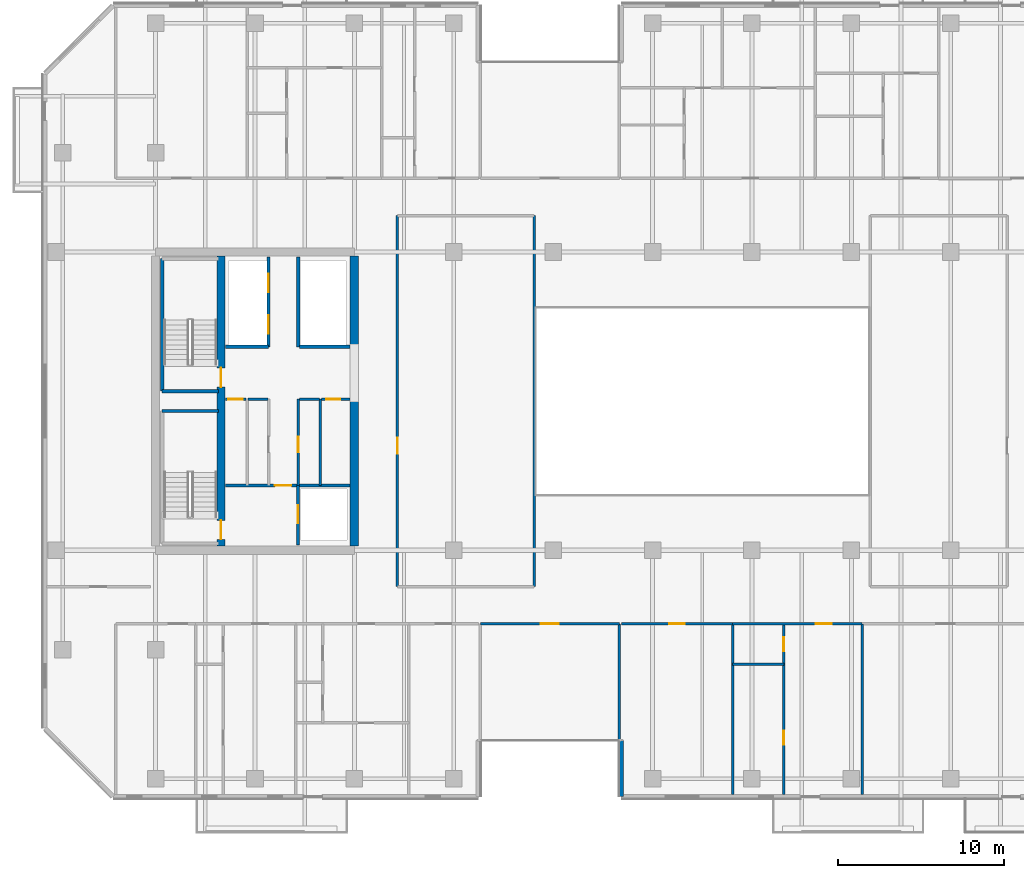
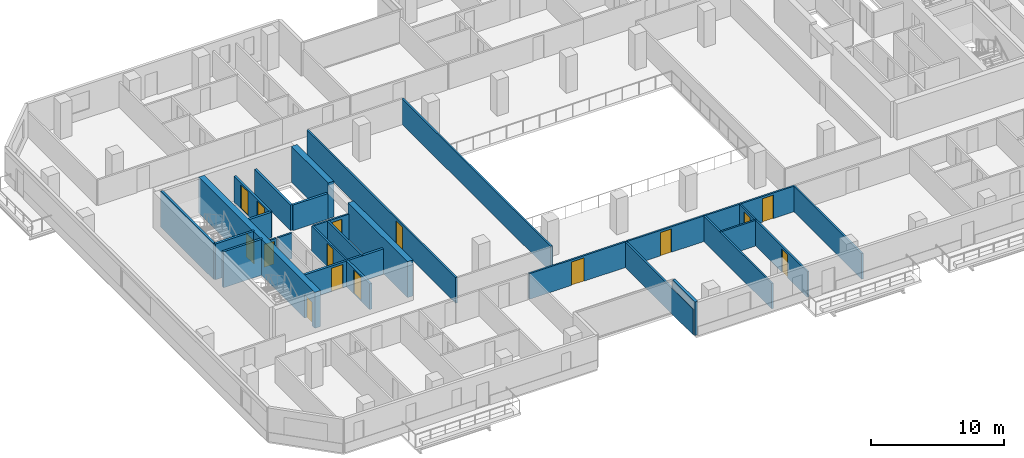
# One storey, part 11 of 23: 29 walls, 15 doors, 15 openings.
"""IFC4 building model written with IfcOpenShell, lengths in metres."""

from ifc_helpers import new_model, si_unit, direction, frame, frame_2d, origin, place, context, subcontext, project, spatial, rectangle, extrude, material, layer, layer_set, type_object, element, fill, save


model = new_model("IFC4")

# Units and contexts
model_context = context("Model", 3, precision=1e-05, world=origin(), true_north=direction((0.0, 1.0)))
body_context = subcontext(model_context, "Body", "Model", "MODEL_VIEW")
ifc_project = project(units=[si_unit("LENGTHUNIT", "METRE"), si_unit("AREAUNIT", "SQUARE_METRE"), si_unit("VOLUMEUNIT", "CUBIC_METRE"), si_unit("PLANEANGLEUNIT", "RADIAN"), si_unit("MASSUNIT", "GRAM", prefix="KILO")], contexts=[model_context])

# Site, building, storey
site_placement = place(None, origin())
site = spatial("IfcSite", under=ifc_project, at=site_placement, CompositionType="ELEMENT")
building_placement = place(site_placement, origin())
building = spatial("IfcBuilding", under=site, at=building_placement, Name="Tanjung Sevakor Pilgrim Tower", CompositionType="ELEMENT")
storey_placement = place(building_placement, frame((0.0, 0.0, 88.77001953125)))
storey = spatial("IfcBuildingStorey", under=building, at=storey_placement, Name="L24", CompositionType="ELEMENT", Elevation=88.77001953125)

# Walls
ifc_material_1 = material(Name="Concrete C60/75", Category="concrete")
ifc_layer_1 = layer(ifc_material_1, 0.5)
ifc_layer_set_1 = layer_set([ifc_layer_1], Name="WALL-CW-500")
wall_type_1 = type_object("IfcWallType", Name="WALL-CW-500", PredefinedType="SHEAR", material=ifc_layer_set_1)
wall_1_placement = place(storey_placement, frame((36.0, 24.85009765625, 0.0), z_axis=(0.0, 0.0, 1.0), x_axis=(0.0, 1.0, 0.0)))
element("IfcWall", 1, at=wall_1_placement, inside=storey, type_object=wall_type_1, Name="L24 W Core Inner Shear Wall South", PredefinedType="SHEAR", context=body_context, shape_type="SweptSolid", body=[
    extrude(rectangle(XDim=8.949951171875, YDim=0.5, at=frame_2d((4.47509765625, 0.0))), origin(), (0.0, 0.0, 1.0), 3.300048828125),
])
wall_2_placement = place(storey_placement, frame((36.0, 36.800048828125, 0.0), z_axis=(0.0, 0.0, 1.0), x_axis=(0.0, 1.0, 0.0)))
element("IfcWall", 2, at=wall_2_placement, inside=storey, type_object=wall_type_1, Name="L24 W Core Inner Shear Wall North", PredefinedType="SHEAR", context=body_context, shape_type="SweptSolid", body=[
    extrude(rectangle(XDim=5.550048828125, YDim=0.5, at=frame_2d((2.77490234375, 0.0))), origin(), (0.0, 0.0, 1.0), 3.300048828125),
])

# Wall, openings, doors
wall_3_placement = place(storey_placement, frame((27.949951171875, 24.85009765625, 0.0), z_axis=(0.0, 0.0, 1.0), x_axis=(0.0, 1.0, 0.0)))
wall_3 = element("IfcWall", 3, at=wall_3_placement, inside=storey, type_object=wall_type_1, Name="L24 W Core Stair Spine Wall", PredefinedType="SHEAR", context=body_context, shape_type="SweptSolid", body=[
    extrude(rectangle(XDim=17.5, YDim=0.5, at=frame_2d((8.75, 0.0))), origin(), (0.0, 0.0, 1.0), 3.300048828125),
])
opening_1_placement = place(wall_3_placement, frame((0.39990234375, 0.0, 0.0)))
opening_1 = element("IfcOpeningElement", 4, at=opening_1_placement, cuts=wall_3, Name="Opening ID-ST1", PredefinedType="OPENING", context=body_context, shape_type="SweptSolid", body=[
    extrude(rectangle(XDim=1.14990234375, YDim=2.14990234375, at=frame_2d((0.574951171875, 1.074951171875))), frame((0.0, 0.260009765625, 0.0), z_axis=(0.0, -1.0, 0.0), x_axis=(1.0, 0.0, 0.0)), (0.0, 0.0, 1.0), 0.52001953125),
])
opening_2_placement = place(wall_3_placement, frame((9.60009765625, 0.0, 0.0)))
opening_2 = element("IfcOpeningElement", 5, at=opening_2_placement, cuts=wall_3, Name="Opening ID-ST1", PredefinedType="OPENING", context=body_context, shape_type="SweptSolid", body=[
    extrude(rectangle(XDim=1.14990234375, YDim=2.14990234375, at=frame_2d((0.574951171875, 1.074951171875))), frame((0.0, 0.260009765625, 0.0), z_axis=(0.0, -1.0, 0.0), x_axis=(1.0, 0.0, 0.0)), (0.0, 0.0, 1.0), 0.52001953125),
])
ifc_material_2 = material(Name="Fire-Rated Steel S355J2", Category="steel")
door_type_1 = type_object("IfcDoorType", Name="DT-FIRE-1150", OperationType="NOTDEFINED", PredefinedType="DOOR", material=ifc_material_2)
door_1_placement = place(opening_1_placement, origin())
door_1 = element("IfcDoor", 6, at=door_1_placement, inside=storey, type_object=door_type_1, Name="L24 TS-W1 Stair Fire Door", OperationType="SINGLE_SWING_LEFT", OverallHeight=2.14990234375, OverallWidth=1.14990234375, PredefinedType="DOOR", context=body_context, shape_type="SweptSolid", body=[
    extrude(rectangle(XDim=1.14990234375, YDim=2.14990234375, at=frame_2d((0.574951171875, 1.074951171875))), frame((0.0, 0.02490234375, 0.0), z_axis=(0.0, -1.0, 0.0), x_axis=(1.0, 0.0, 0.0)), (0.0, 0.0, 1.0), 0.050048828125),
])
fill(opening_1, door_1)
door_2_placement = place(opening_2_placement, origin())
door_2 = element("IfcDoor", 7, at=door_2_placement, inside=storey, type_object=door_type_1, Name="L24 TS-W2 Stair Fire Door", OperationType="SINGLE_SWING_RIGHT", OverallHeight=2.14990234375, OverallWidth=1.14990234375, PredefinedType="DOOR", context=body_context, shape_type="SweptSolid", body=[
    extrude(rectangle(XDim=1.14990234375, YDim=2.14990234375, at=frame_2d((0.574951171875, 1.074951171875))), frame((0.0, 0.02490234375, 0.0), z_axis=(0.0, -1.0, 0.0), x_axis=(1.0, 0.0, 0.0)), (0.0, 0.0, 1.0), 0.050048828125),
])
fill(opening_2, door_2)

# Wall, opening, door
ifc_material_3 = material(Name="Concrete C40/50", Category="concrete")
ifc_layer_2 = layer(ifc_material_3, 0.14990234375)
ifc_layer_set_2 = layer_set([ifc_layer_2], Name="WT-COMP-150")
wall_type_2 = type_object("IfcWallType", Name="WT-COMP-150", PredefinedType="SOLIDWALL", material=ifc_layer_set_2)
wall_4_placement = place(storey_placement, frame((28.219970703125, 33.719970703125, 0.0), z_axis=(0.0, 0.0, 1.0), x_axis=(1.0, 0.0, 0.0)))
wall_4 = element("IfcWall", 8, at=wall_4_placement, inside=storey, type_object=wall_type_2, Name="L24 Partition IW-L24-004", PredefinedType="SOLIDWALL", context=body_context, shape_type="SweptSolid", body=[
    extrude(rectangle(XDim=1.22998046875, YDim=0.14990234375, at=frame_2d((0.614990234375, 0.0))), origin(), (0.0, 0.0, 1.0), 2.35009765625),
])
opening_3_placement = place(wall_4_placement, frame((0.179931640625, 0.0, 0.0)))
opening_3 = element("IfcOpeningElement", 9, at=opening_3_placement, cuts=wall_4, Name="Opening ID-FD3", PredefinedType="OPENING", context=body_context, shape_type="SweptSolid", body=[
    extrude(rectangle(XDim=0.85009765625, YDim=2.10009765625, at=frame_2d((0.425048828125, 1.050048828125))), frame((0.0, 0.0849609375, 0.0), z_axis=(0.0, -1.0, 0.0), x_axis=(1.0, 0.0, 0.0)), (0.0, 0.0, 1.0), 0.169921875),
])
ifc_material_4 = material(Name="Fire-Rated Timber", Category="wood")
door_type_2 = type_object("IfcDoorType", Name="DT-FIRE-850", OperationType="NOTDEFINED", PredefinedType="DOOR", material=ifc_material_4)
door_3_placement = place(opening_3_placement, origin())
door_3 = element("IfcDoor", 10, at=door_3_placement, inside=storey, type_object=door_type_2, Name="L24 Cleaner Store Door", OperationType="SINGLE_SWING_LEFT", OverallHeight=2.10009765625, OverallWidth=0.85009765625, PredefinedType="DOOR", context=body_context, shape_type="SweptSolid", body=[
    extrude(rectangle(XDim=0.85009765625, YDim=2.10009765625, at=frame_2d((0.425048828125, 1.050048828125))), frame((0.0, 0.02490234375, 0.0), z_axis=(0.0, -1.0, 0.0), x_axis=(1.0, 0.0, 0.0)), (0.0, 0.0, 1.0), 0.050048828125),
])
fill(opening_3, door_3)

# Walls
wall_5_placement = place(storey_placement, frame((29.580078125, 33.719970703125, 0.0), z_axis=(0.0, 0.0, 1.0), x_axis=(1.0, 0.0, 0.0)))
element("IfcWall", 11, at=wall_5_placement, inside=storey, type_object=wall_type_2, Name="L24 Partition IW-L24-005", PredefinedType="SOLIDWALL", context=body_context, shape_type="SweptSolid", body=[
    extrude(rectangle(XDim=1.219970703125, YDim=0.14990234375, at=frame_2d((0.60986328125, 0.0))), origin(), (0.0, 0.0, 1.0), 2.35009765625),
])
wall_6_placement = place(storey_placement, frame((33.949951171875, 28.5, 0.0), z_axis=(0.0, 0.0, 1.0), x_axis=(0.0, 1.0, 0.0)))
element("IfcWall", 12, at=wall_6_placement, inside=storey, type_object=wall_type_2, Name="L24 Partition IW-L24-007", PredefinedType="SOLIDWALL", context=body_context, shape_type="SweptSolid", body=[
    extrude(rectangle(XDim=5.219970703125, YDim=0.14990234375, at=frame_2d((2.60986328125, 0.0))), origin(), (0.0, 0.0, 1.0), 2.35009765625),
])
wall_7_placement = place(storey_placement, frame((32.679931640625, 33.719970703125, 0.0), z_axis=(0.0, 0.0, 1.0), x_axis=(1.0, 0.0, 0.0)))
element("IfcWall", 13, at=wall_7_placement, inside=storey, type_object=wall_type_2, Name="L24 Partition IW-L24-008", PredefinedType="SOLIDWALL", context=body_context, shape_type="SweptSolid", body=[
    extrude(rectangle(XDim=1.2099609375, YDim=0.14990234375, at=frame_2d((0.60498046875, 0.0))), origin(), (0.0, 0.0, 1.0), 2.35009765625),
])

# Wall, opening, door
wall_8_placement = place(storey_placement, frame((34.010009765625, 33.719970703125, 0.0), z_axis=(0.0, 0.0, 1.0), x_axis=(1.0, 0.0, 0.0)))
wall_8 = element("IfcWall", 14, at=wall_8_placement, inside=storey, type_object=wall_type_2, Name="L24 Partition IW-L24-009", PredefinedType="SOLIDWALL", context=body_context, shape_type="SweptSolid", body=[
    extrude(rectangle(XDim=1.719970703125, YDim=0.14990234375, at=frame_2d((0.85986328125, 0.0))), origin(), (0.0, 0.0, 1.0), 2.35009765625),
])
opening_4_placement = place(wall_8_placement, frame((0.280029296875, 0.0, 0.0)))
opening_4 = element("IfcOpeningElement", 15, at=opening_4_placement, cuts=wall_8, Name="Opening ID-FD3", PredefinedType="OPENING", context=body_context, shape_type="SweptSolid", body=[
    extrude(rectangle(XDim=0.85009765625, YDim=2.10009765625, at=frame_2d((0.425048828125, 1.050048828125))), frame((0.0, 0.0849609375, 0.0), z_axis=(0.0, -1.0, 0.0), x_axis=(1.0, 0.0, 0.0)), (0.0, 0.0, 1.0), 0.169921875),
])
door_4_placement = place(opening_4_placement, origin())
door_4 = element("IfcDoor", 16, at=door_4_placement, inside=storey, type_object=door_type_2, Name="L24 Service Store Door", OperationType="SINGLE_SWING_LEFT", OverallHeight=2.10009765625, OverallWidth=0.85009765625, PredefinedType="DOOR", context=body_context, shape_type="SweptSolid", body=[
    extrude(rectangle(XDim=0.85009765625, YDim=2.10009765625, at=frame_2d((0.425048828125, 1.050048828125))), frame((0.0, 0.02490234375, 0.0), z_axis=(0.0, -1.0, 0.0), x_axis=(1.0, 0.0, 0.0)), (0.0, 0.0, 1.0), 0.050048828125),
])
fill(opening_4, door_4)

wall_9_placement = place(storey_placement, frame((32.6201171875, 28.5, 0.0), z_axis=(0.0, 0.0, 1.0), x_axis=(0.0, 1.0, 0.0)))
wall_9 = element("IfcWall", 17, at=wall_9_placement, inside=storey, type_object=wall_type_2, Name="L24 Partition IW-L24-010", PredefinedType="SOLIDWALL", context=body_context, shape_type="SweptSolid", body=[
    extrude(rectangle(XDim=5.219970703125, YDim=0.14990234375, at=frame_2d((2.60986328125, 0.0))), origin(), (0.0, 0.0, 1.0), 2.35009765625),
])
opening_5_placement = place(wall_9_placement, frame((2.0, 0.0, 0.0)))
opening_5 = element("IfcOpeningElement", 18, at=opening_5_placement, cuts=wall_9, Name="Opening ID-FD2", PredefinedType="OPENING", context=body_context, shape_type="SweptSolid", body=[
    extrude(rectangle(XDim=0.949951171875, YDim=2.14990234375, at=frame_2d((0.47509765625, 1.074951171875))), frame((0.0, 0.0849609375, 0.0), z_axis=(0.0, -1.0, 0.0), x_axis=(1.0, 0.0, 0.0)), (0.0, 0.0, 1.0), 0.169921875),
])
ifc_material_5 = material(Name="Fire-Rated Timber", Category="wood")
door_type_3 = type_object("IfcDoorType", Name="DT-FIRE-950", OperationType="NOTDEFINED", PredefinedType="DOOR", material=ifc_material_5)
door_5_placement = place(opening_5_placement, origin())
door_5 = element("IfcDoor", 19, at=door_5_placement, inside=storey, type_object=door_type_3, Name="L24 Accessible WC Door", OperationType="SINGLE_SWING_RIGHT", OverallHeight=2.14990234375, OverallWidth=0.949951171875, PredefinedType="DOOR", context=body_context, shape_type="SweptSolid", body=[
    extrude(rectangle(XDim=0.949951171875, YDim=2.14990234375, at=frame_2d((0.47509765625, 1.074951171875))), frame((0.0, 0.02490234375, 0.0), z_axis=(0.0, -1.0, 0.0), x_axis=(1.0, 0.0, 0.0)), (0.0, 0.0, 1.0), 0.050048828125),
])
fill(opening_5, door_5)

wall_10_placement = place(storey_placement, frame((38.60009765625, 22.39990234375, 0.0), z_axis=(0.0, 0.0, 1.0), x_axis=(0.0, 1.0, 0.0)))
wall_10 = element("IfcWall", 20, at=wall_10_placement, inside=storey, type_object=wall_type_2, Name="L24 Partition IW-L24-031", PredefinedType="SOLIDWALL", context=body_context, shape_type="SweptSolid", body=[
    extrude(rectangle(XDim=22.400146484375, YDim=0.14990234375, at=frame_2d((11.2001953125, 0.0))), origin(), (0.0, 0.0, 1.0), 2.35009765625),
])
opening_6_placement = place(wall_10_placement, frame((8.02490234375, 0.0, 0.0)))
opening_6 = element("IfcOpeningElement", 21, at=opening_6_placement, cuts=wall_10, Name="Opening ID-RM1", PredefinedType="OPENING", context=body_context, shape_type="SweptSolid", body=[
    extrude(rectangle(XDim=0.949951171875, YDim=2.14990234375, at=frame_2d((0.47509765625, 1.074951171875))), frame((0.0, 0.0849609375, 0.0), z_axis=(0.0, -1.0, 0.0), x_axis=(1.0, 0.0, 0.0)), (0.0, 0.0, 1.0), 0.169921875),
])
ifc_material_6 = material(Name="Hardwood Timber", Category="wood")
door_type_4 = type_object("IfcDoorType", Name="DT-INT-950", OperationType="NOTDEFINED", PredefinedType="DOOR", material=ifc_material_6)
door_6_placement = place(opening_6_placement, origin())
door_6 = element("IfcDoor", 22, at=door_6_placement, inside=storey, type_object=door_type_4, Name="L24 Central West Room Door", OperationType="SINGLE_SWING_LEFT", OverallHeight=2.14990234375, OverallWidth=0.949951171875, PredefinedType="DOOR", context=body_context, shape_type="SweptSolid", body=[
    extrude(rectangle(XDim=0.949951171875, YDim=2.14990234375, at=frame_2d((0.47509765625, 1.074951171875))), frame((0.0, 0.02490234375, 0.0), z_axis=(0.0, -1.0, 0.0), x_axis=(1.0, 0.0, 0.0)), (0.0, 0.0, 1.0), 0.050048828125),
])
fill(opening_6, door_6)

# Wall
wall_11_placement = place(storey_placement, frame((46.85009765625, 22.39990234375, 0.0), z_axis=(0.0, 0.0, 1.0), x_axis=(0.0, 1.0, 0.0)))
element("IfcWall", 23, at=wall_11_placement, inside=storey, type_object=wall_type_2, Name="L24 Partition IW-L24-032", PredefinedType="SOLIDWALL", context=body_context, shape_type="SweptSolid", body=[
    extrude(rectangle(XDim=22.400146484375, YDim=0.14990234375, at=frame_2d((11.2001953125, 0.0))), origin(), (0.0, 0.0, 1.0), 2.35009765625),
])

# Wall, opening, door
wall_12_placement = place(storey_placement, frame((43.60009765625, 20.14990234375, 0.0), z_axis=(0.0, 0.0, 1.0), x_axis=(1.0, 0.0, 0.0)))
wall_12 = element("IfcWall", 24, at=wall_12_placement, inside=storey, type_object=wall_type_2, Name="L24 Partition IW-L24-045", PredefinedType="SOLIDWALL", context=body_context, shape_type="SweptSolid", body=[
    extrude(rectangle(XDim=8.39990234375, YDim=0.14990234375, at=frame_2d((4.199951171875, 0.0))), origin(), (0.0, 0.0, 1.0), 2.35009765625),
])
opening_7_placement = place(wall_12_placement, frame((3.64990234375, 0.0, 0.0)))
opening_7 = element("IfcOpeningElement", 25, at=opening_7_placement, cuts=wall_12, Name="Opening ID-RM2", PredefinedType="OPENING", context=body_context, shape_type="SweptSolid", body=[
    extrude(rectangle(XDim=1.10009765625, YDim=2.14990234375, at=frame_2d((0.550048828125, 1.074951171875))), frame((0.0, 0.0849609375, 0.0), z_axis=(0.0, -1.0, 0.0), x_axis=(1.0, 0.0, 0.0)), (0.0, 0.0, 1.0), 0.169921875),
])
ifc_material_7 = material(Name="Hardwood Timber", Category="wood")
door_type_5 = type_object("IfcDoorType", Name="DT-INT-1100", OperationType="NOTDEFINED", PredefinedType="DOOR", material=ifc_material_7)
door_7_placement = place(opening_7_placement, origin())
door_7 = element("IfcDoor", 26, at=door_7_placement, inside=storey, type_object=door_type_5, Name="L24 South Cleft Communal Lounge Door", OperationType="SINGLE_SWING_LEFT", OverallHeight=2.14990234375, OverallWidth=1.10009765625, PredefinedType="DOOR", context=body_context, shape_type="SweptSolid", body=[
    extrude(rectangle(XDim=1.10009765625, YDim=2.14990234375, at=frame_2d((0.550048828125, 1.074951171875))), frame((0.0, 0.02490234375, 0.0), z_axis=(0.0, -1.0, 0.0), x_axis=(1.0, 0.0, 0.0)), (0.0, 0.0, 1.0), 0.050048828125),
])
fill(opening_7, door_7)

# Walls
for number, where, z_axis, x_axis, name in (
    (27, (52.0, 9.85009765625, 0.0), (0.0, 0.0, 1.0), (0.0, 1.0, 0.0), "L24 Partition IW-L24-047"),
    (28, (58.827880859375, 9.85009765625, 0.0), (0.0, 0.0, 1.0), (0.0, 1.0, 0.0), "L24 Partition IW-L24-065"),
):
    element("IfcWall", number, at=place(storey_placement, frame(where, z_axis=z_axis, x_axis=x_axis)), inside=storey, type_object=wall_type_2, Name=name, PredefinedType="SOLIDWALL", context=body_context, shape_type="SweptSolid", body=[
        extrude(rectangle(XDim=10.2998046875, YDim=0.14990234375, at=frame_2d((5.14990234375, 0.0))), origin(), (0.0, 0.0, 1.0), 2.35009765625),
    ])

# Wall, opening, door
wall_13_placement = place(storey_placement, frame((52.1201171875, 20.14990234375, 0.0), z_axis=(0.0, 0.0, 1.0), x_axis=(1.0, 0.0, 0.0)))
wall_13 = element("IfcWall", 29, at=wall_13_placement, inside=storey, type_object=wall_type_2, Name="L24 Partition IW-L24-066", PredefinedType="SOLIDWALL", context=body_context, shape_type="SweptSolid", body=[
    extrude(rectangle(XDim=6.707763671875, YDim=0.14990234375, at=frame_2d((3.35400390625, 0.0))), origin(), (0.0, 0.0, 1.0), 2.35009765625),
])
opening_8_placement = place(wall_13_placement, frame((2.87890625, 0.0, 0.0)))
opening_8 = element("IfcOpeningElement", 30, at=opening_8_placement, cuts=wall_13, Name="Opening ID-FD2", PredefinedType="OPENING", context=body_context, shape_type="SweptSolid", body=[
    extrude(rectangle(XDim=0.949951171875, YDim=2.14990234375, at=frame_2d((0.47509765625, 1.074951171875))), frame((0.0, 0.0849609375, 0.0), z_axis=(0.0, -1.0, 0.0), x_axis=(1.0, 0.0, 0.0)), (0.0, 0.0, 1.0), 0.169921875),
])
door_8_placement = place(opening_8_placement, origin())
door_8 = element("IfcDoor", 31, at=door_8_placement, inside=storey, type_object=door_type_3, Name="Housekeeping Pantry Door", OperationType="SINGLE_SWING_RIGHT", OverallHeight=2.14990234375, OverallWidth=0.949951171875, PredefinedType="DOOR", context=body_context, shape_type="SweptSolid", body=[
    extrude(rectangle(XDim=0.949951171875, YDim=2.14990234375, at=frame_2d((0.47509765625, 1.074951171875))), frame((0.0, 0.02490234375, 0.0), z_axis=(0.0, -1.0, 0.0), x_axis=(1.0, 0.0, 0.0)), (0.0, 0.0, 1.0), 0.050048828125),
])
fill(opening_8, door_8)

# Wall
wall_14_placement = place(storey_placement, frame((66.653564453125, 9.85009765625, 0.0), z_axis=(0.0, 0.0, 1.0), x_axis=(0.0, 1.0, 0.0)))
element("IfcWall", 32, at=wall_14_placement, inside=storey, type_object=wall_type_2, Name="L24 Partition IW-L24-067", PredefinedType="SOLIDWALL", context=body_context, shape_type="SweptSolid", body=[
    extrude(rectangle(XDim=10.2998046875, YDim=0.14990234375, at=frame_2d((5.14990234375, 0.0))), origin(), (0.0, 0.0, 1.0), 2.35009765625),
])

# Wall, opening, door
wall_15_placement = place(storey_placement, frame((58.827880859375, 20.14990234375, 0.0), z_axis=(0.0, 0.0, 1.0), x_axis=(1.0, 0.0, 0.0)))
wall_15 = element("IfcWall", 33, at=wall_15_placement, inside=storey, type_object=wall_type_2, Name="L24 Partition IW-L24-070", PredefinedType="SOLIDWALL", context=body_context, shape_type="SweptSolid", body=[
    extrude(rectangle(XDim=7.82568359375, YDim=0.14990234375, at=frame_2d((3.912841796875, 0.0))), origin(), (0.0, 0.0, 1.0), 2.35009765625),
])
opening_9_placement = place(wall_15_placement, frame((5.02392578125, 0.0, 0.0)))
opening_9 = element("IfcOpeningElement", 34, at=opening_9_placement, cuts=wall_15, Name="Opening ID-FD2", PredefinedType="OPENING", context=body_context, shape_type="SweptSolid", body=[
    extrude(rectangle(XDim=0.949951171875, YDim=2.14990234375, at=frame_2d((0.47509765625, 1.074951171875))), frame((0.0, 0.0849609375, 0.0), z_axis=(0.0, -1.0, 0.0), x_axis=(1.0, 0.0, 0.0)), (0.0, 0.0, 1.0), 0.169921875),
])
door_9_placement = place(opening_9_placement, origin())
door_9 = element("IfcDoor", 35, at=door_9_placement, inside=storey, type_object=door_type_3, Name="Hostel Quad Entrance", OperationType="SINGLE_SWING_LEFT", OverallHeight=2.14990234375, OverallWidth=0.949951171875, PredefinedType="DOOR", context=body_context, shape_type="SweptSolid", body=[
    extrude(rectangle(XDim=0.949951171875, YDim=2.14990234375, at=frame_2d((0.47509765625, 1.074951171875))), frame((0.0, 0.02490234375, 0.0), z_axis=(0.0, -1.0, 0.0), x_axis=(1.0, 0.0, 0.0)), (0.0, 0.0, 1.0), 0.050048828125),
])
fill(opening_9, door_9)

# Walls
ifc_material_8 = material(Name="Precast concrete C45/55", Category="concrete")
ifc_layer_3 = layer(ifc_material_8, 0.25)
ifc_layer_set_3 = layer_set([ifc_layer_3], Name="WT-EW-STN3")
wall_type_3 = type_object("IfcWallType", Name="WT-EW-STN3", PredefinedType="SOLIDWALL", material=ifc_layer_set_3)
wall_16_placement = place(storey_placement, frame((52.125, 13.125, 0.0), z_axis=(0.0, 0.0, 1.0), x_axis=(0.0, -1.0, 0.0)))
element("IfcWall", 36, at=wall_16_placement, inside=storey, type_object=wall_type_3, Name="L24 MAIN Exterior Wall 4", PredefinedType="SOLIDWALL", context=body_context, shape_type="SweptSolid", body=[
    extrude(rectangle(XDim=3.39990234375, YDim=0.25, at=frame_2d((1.699951171875, 0.0))), origin(), (0.0, 0.0, 1.0), 3.080078125),
])
ifc_material_9 = material(Name="Concrete C40/50", Category="concrete")
ifc_layer_4 = layer(ifc_material_9, 0.199951171875)
ifc_layer_set_4 = layer_set([ifc_layer_4], Name="WT-FIRE-200")
wall_type_4 = type_object("IfcWallType", Name="WT-FIRE-200", PredefinedType="SOLIDWALL", material=ifc_layer_set_4)
for number, where, z_axis, x_axis, name in (
    (37, (27.800048828125, 33.0, 0.0), (0.0, 0.0, 1.0), (-1.0, 0.0, 0.0), "L24 TS-W1 Shaft Wall 2"),
    (38, (24.39990234375, 34.199951171875, 0.0), (0.0, 0.0, 1.0), (1.0, 0.0, 0.0), "L24 TS-W2 Shaft Wall 1"),
):
    element("IfcWall", number, at=place(storey_placement, frame(where, z_axis=z_axis, x_axis=x_axis)), inside=storey, type_object=wall_type_4, Name=name, PredefinedType="SOLIDWALL", context=body_context, shape_type="SweptSolid", body=[
        extrude(rectangle(XDim=3.400146484375, YDim=0.199951171875, at=frame_2d((1.7001953125, 0.0))), origin(), (0.0, 0.0, 1.0), 3.300048828125),
    ])
wall_17_placement = place(storey_placement, frame((24.39990234375, 42.199951171875, 0.0), z_axis=(0.0, 0.0, 1.0), x_axis=(0.0, -1.0, 0.0)))
element("IfcWall", 39, at=wall_17_placement, inside=storey, type_object=wall_type_4, Name="L24 TS-W2 Shaft Wall 3", PredefinedType="SOLIDWALL", context=body_context, shape_type="SweptSolid", body=[
    extrude(rectangle(XDim=8.0, YDim=0.199951171875, at=frame_2d((4.0, 0.0))), origin(), (0.0, 0.0, 1.0), 3.300048828125),
])

# Wall, opening, door
ifc_material_10 = material(Name="Concrete C40/50", Category="concrete")
ifc_layer_5 = layer(ifc_material_10, 0.199951171875)
ifc_layer_set_5 = layer_set([ifc_layer_5], Name="WT-FPRT-200")
wall_type_5 = type_object("IfcWallType", Name="WT-FPRT-200", PredefinedType="SOLIDWALL", material=ifc_layer_set_5)
wall_18_placement = place(storey_placement, frame((32.60009765625, 24.919921875, 0.0), z_axis=(0.0, 0.0, 1.0), x_axis=(0.0, 1.0, 0.0)))
wall_18 = element("IfcWall", 40, at=wall_18_placement, inside=storey, type_object=wall_type_5, Name="L24 Partition IW-L24-001", PredefinedType="SOLIDWALL", context=body_context, shape_type="SweptSolid", body=[
    extrude(rectangle(XDim=3.580078125, YDim=0.199951171875, at=frame_2d((1.7900390625, 0.0))), origin(), (0.0, 0.0, 1.0), 2.35009765625),
])
opening_10_placement = place(wall_18_placement, frame((1.300048828125, 0.0, 0.0)))
opening_10 = element("IfcOpeningElement", 41, at=opening_10_placement, cuts=wall_18, Name="Opening LD-1100", PredefinedType="OPENING", context=body_context, shape_type="SweptSolid", body=[
    extrude(rectangle(XDim=1.10009765625, YDim=2.199951171875, at=frame_2d((0.550048828125, 1.10009765625))), frame((0.0, 0.10986328125, 0.0), z_axis=(0.0, -1.0, 0.0), x_axis=(1.0, 0.0, 0.0)), (0.0, 0.0, 1.0), 0.219970703125),
])
ifc_material_11 = material(Name="Brushed Stainless Steel S355J2", Category="steel")
door_type_6 = type_object("IfcDoorType", Name="DT-LIFT-1100", OperationType="SLIDING_TO_LEFT", PredefinedType="DOOR", material=ifc_material_11)
door_10_placement = place(opening_10_placement, origin())
door_10 = element("IfcDoor", 42, at=door_10_placement, inside=storey, type_object=door_type_6, Name="LD-FL-W", OperationType="SLIDING_TO_LEFT", OverallHeight=2.199951171875, OverallWidth=1.10009765625, PredefinedType="DOOR", context=body_context, shape_type="SweptSolid", body=[
    extrude(rectangle(XDim=1.10009765625, YDim=2.199951171875, at=frame_2d((0.550048828125, 1.10009765625))), frame((0.0, 0.02490234375, 0.0), z_axis=(0.0, -1.0, 0.0), x_axis=(1.0, 0.0, 0.0)), (0.0, 0.0, 1.0), 0.050048828125),
])
fill(opening_10, door_10)

wall_19_placement = place(storey_placement, frame((28.219970703125, 28.5, 0.0), z_axis=(0.0, 0.0, 1.0), x_axis=(1.0, 0.0, 0.0)))
wall_19 = element("IfcWall", 43, at=wall_19_placement, inside=storey, type_object=wall_type_5, Name="L24 Partition IW-L24-002", PredefinedType="SOLIDWALL", context=body_context, shape_type="SweptSolid", body=[
    extrude(rectangle(XDim=7.510009765625, YDim=0.199951171875, at=frame_2d((3.7548828125, 0.0))), origin(), (0.0, 0.0, 1.0), 2.35009765625),
])
opening_11_placement = place(wall_19_placement, frame((2.97998046875, 0.0, 0.0)))
opening_11 = element("IfcOpeningElement", 44, at=opening_11_placement, cuts=wall_19, Name="Opening ID-FD1", PredefinedType="OPENING", context=body_context, shape_type="SweptSolid", body=[
    extrude(rectangle(XDim=1.0, YDim=2.14990234375, at=frame_2d((0.5, 1.074951171875))), frame((0.0, 0.10986328125, 0.0), z_axis=(0.0, -1.0, 0.0), x_axis=(1.0, 0.0, 0.0)), (0.0, 0.0, 1.0), 0.219970703125),
])
ifc_material_12 = material(Name="Fire-Rated Steel S355J2", Category="steel")
door_type_7 = type_object("IfcDoorType", Name="DT-FIRE-1000", OperationType="NOTDEFINED", PredefinedType="DOOR", material=ifc_material_12)
door_11_placement = place(opening_11_placement, origin())
door_11 = element("IfcDoor", 45, at=door_11_placement, inside=storey, type_object=door_type_7, Name="Fire Lobby Door W", OperationType="SINGLE_SWING_RIGHT", OverallHeight=2.14990234375, OverallWidth=1.0, PredefinedType="DOOR", context=body_context, shape_type="SweptSolid", body=[
    extrude(rectangle(XDim=1.0, YDim=2.14990234375, at=frame_2d((0.5, 1.074951171875))), frame((0.0, 0.02490234375, 0.0), z_axis=(0.0, -1.0, 0.0), x_axis=(1.0, 0.0, 0.0)), (0.0, 0.0, 1.0), 0.050048828125),
])
fill(opening_11, door_11)

# Wall
wall_20_placement = place(storey_placement, frame((28.219970703125, 36.8798828125, 0.0), z_axis=(0.0, 0.0, 1.0), x_axis=(1.0, 0.0, 0.0)))
element("IfcWall", 46, at=wall_20_placement, inside=storey, type_object=wall_type_5, Name="L24 Partition IW-L24-011", PredefinedType="SOLIDWALL", context=body_context, shape_type="SweptSolid", body=[
    extrude(rectangle(XDim=2.580078125, YDim=0.199951171875, at=frame_2d((1.2900390625, 0.0))), origin(), (0.0, 0.0, 1.0), 2.35009765625),
])

# Wall, openings, doors
wall_21_placement = place(storey_placement, frame((30.820068359375, 36.8798828125, 0.0), z_axis=(0.0, 0.0, 1.0), x_axis=(0.0, 1.0, 0.0)))
wall_21 = element("IfcWall", 47, at=wall_21_placement, inside=storey, type_object=wall_type_5, Name="L24 Partition IW-L24-012", PredefinedType="SOLIDWALL", context=body_context, shape_type="SweptSolid", body=[
    extrude(rectangle(XDim=5.420166015625, YDim=0.199951171875, at=frame_2d((2.7099609375, 0.0))), origin(), (0.0, 0.0, 1.0), 2.35009765625),
])
opening_12_placement = place(wall_21_placement, frame((0.800048828125, 0.0, 0.0)))
opening_12 = element("IfcOpeningElement", 48, at=opening_12_placement, cuts=wall_21, Name="Opening LD-1100", PredefinedType="OPENING", context=body_context, shape_type="SweptSolid", body=[
    extrude(rectangle(XDim=1.10009765625, YDim=2.199951171875, at=frame_2d((0.550048828125, 1.10009765625))), frame((0.0, 0.10986328125, 0.0), z_axis=(0.0, -1.0, 0.0), x_axis=(1.0, 0.0, 0.0)), (0.0, 0.0, 1.0), 0.219970703125),
])
opening_13_placement = place(wall_21_placement, frame((3.300048828125, 0.0, 0.0)))
opening_13 = element("IfcOpeningElement", 49, at=opening_13_placement, cuts=wall_21, Name="Opening LD-1100", PredefinedType="OPENING", context=body_context, shape_type="SweptSolid", body=[
    extrude(rectangle(XDim=1.10009765625, YDim=2.199951171875, at=frame_2d((0.550048828125, 1.10009765625))), frame((0.0, 0.10986328125, 0.0), z_axis=(0.0, -1.0, 0.0), x_axis=(1.0, 0.0, 0.0)), (0.0, 0.0, 1.0), 0.219970703125),
])
door_12_placement = place(opening_12_placement, origin())
door_12 = element("IfcDoor", 50, at=door_12_placement, inside=storey, type_object=door_type_6, Name="LD-PLM1-W", OperationType="SLIDING_TO_LEFT", OverallHeight=2.199951171875, OverallWidth=1.10009765625, PredefinedType="DOOR", context=body_context, shape_type="SweptSolid", body=[
    extrude(rectangle(XDim=1.10009765625, YDim=2.199951171875, at=frame_2d((0.550048828125, 1.10009765625))), frame((0.0, 0.02490234375, 0.0), z_axis=(0.0, -1.0, 0.0), x_axis=(1.0, 0.0, 0.0)), (0.0, 0.0, 1.0), 0.050048828125),
])
fill(opening_12, door_12)
door_13_placement = place(opening_13_placement, origin())
door_13 = element("IfcDoor", 51, at=door_13_placement, inside=storey, type_object=door_type_6, Name="LD-PLM2-W", OperationType="SLIDING_TO_RIGHT", OverallHeight=2.199951171875, OverallWidth=1.10009765625, PredefinedType="DOOR", context=body_context, shape_type="SweptSolid", body=[
    extrude(rectangle(XDim=1.10009765625, YDim=2.199951171875, at=frame_2d((0.550048828125, 1.10009765625))), frame((0.0, 0.02490234375, 0.0), z_axis=(0.0, -1.0, 0.0), x_axis=(1.0, 0.0, 0.0)), (0.0, 0.0, 1.0), 0.050048828125),
])
fill(opening_13, door_13)

# Walls
wall_22_placement = place(storey_placement, frame((32.679931640625, 36.8798828125, 0.0), z_axis=(0.0, 0.0, 1.0), x_axis=(1.0, 0.0, 0.0)))
element("IfcWall", 52, at=wall_22_placement, inside=storey, type_object=wall_type_5, Name="L24 Partition IW-L24-013", PredefinedType="SOLIDWALL", context=body_context, shape_type="SweptSolid", body=[
    extrude(rectangle(XDim=3.050048828125, YDim=0.199951171875, at=frame_2d((1.52490234375, 0.0))), origin(), (0.0, 0.0, 1.0), 2.35009765625),
])
wall_23_placement = place(storey_placement, frame((32.6201171875, 36.8798828125, 0.0), z_axis=(0.0, 0.0, 1.0), x_axis=(0.0, 1.0, 0.0)))
element("IfcWall", 53, at=wall_23_placement, inside=storey, type_object=wall_type_5, Name="L24 Partition IW-L24-014", PredefinedType="SOLIDWALL", context=body_context, shape_type="SweptSolid", body=[
    extrude(rectangle(XDim=5.420166015625, YDim=0.199951171875, at=frame_2d((2.7099609375, 0.0))), origin(), (0.0, 0.0, 1.0), 2.35009765625),
])
ifc_material_13 = material(Name="Gypsum Board Partition", Category="gypsum board")
ifc_layer_6 = layer(ifc_material_13, 0.14990234375)
ifc_layer_set_6 = layer_set([ifc_layer_6], Name="WT-PART-150")
wall_type_6 = type_object("IfcWallType", Name="WT-PART-150", PredefinedType="PARTITIONING", material=ifc_layer_set_6)
wall_24_placement = place(storey_placement, frame((58.827880859375, 17.699951171875, 0.0), z_axis=(0.0, 0.0, 1.0), x_axis=(1.0, 0.0, 0.0)))
element("IfcWall", 54, at=wall_24_placement, inside=storey, type_object=wall_type_6, Name="L24 Partition IW-L24-068", PredefinedType="PARTITIONING", context=body_context, shape_type="SweptSolid", body=[
    extrude(rectangle(XDim=3.092041015625, YDim=0.14990234375, at=frame_2d((1.5458984375, 0.0))), origin(), (0.0, 0.0, 1.0), 2.35009765625),
])

# Wall, openings, doors
wall_25_placement = place(storey_placement, frame((61.919921875, 9.85009765625, 0.0), z_axis=(0.0, 0.0, 1.0), x_axis=(0.0, 1.0, 0.0)))
wall_25 = element("IfcWall", 55, at=wall_25_placement, inside=storey, type_object=wall_type_6, Name="L24 Partition IW-L24-069", PredefinedType="PARTITIONING", context=body_context, shape_type="SweptSolid", body=[
    extrude(rectangle(XDim=10.2998046875, YDim=0.14990234375, at=frame_2d((5.14990234375, 0.0))), origin(), (0.0, 0.0, 1.0), 2.35009765625),
])
opening_14_placement = place(wall_25_placement, frame((3.0, 0.0, 0.0)))
opening_14 = element("IfcOpeningElement", 56, at=opening_14_placement, cuts=wall_25, Name="Opening ID-WC1", PredefinedType="OPENING", context=body_context, shape_type="SweptSolid", body=[
    extrude(rectangle(XDim=0.85009765625, YDim=2.10009765625, at=frame_2d((0.425048828125, 1.050048828125))), frame((0.0, 0.0849609375, 0.0), z_axis=(0.0, -1.0, 0.0), x_axis=(1.0, 0.0, 0.0)), (0.0, 0.0, 1.0), 0.169921875),
])
opening_15_placement = place(wall_25_placement, frame((8.64990234375, 0.0, 0.0)))
opening_15 = element("IfcOpeningElement", 57, at=opening_15_placement, cuts=wall_25, Name="Opening ID-WC1", PredefinedType="OPENING", context=body_context, shape_type="SweptSolid", body=[
    extrude(rectangle(XDim=0.85009765625, YDim=2.10009765625, at=frame_2d((0.425048828125, 1.050048828125))), frame((0.0, 0.0849609375, 0.0), z_axis=(0.0, -1.0, 0.0), x_axis=(1.0, 0.0, 0.0)), (0.0, 0.0, 1.0), 0.169921875),
])
ifc_material_14 = material(Name="Moisture-Resistant Timber", Category="wood")
door_type_8 = type_object("IfcDoorType", Name="DT-INT-850", OperationType="NOTDEFINED", PredefinedType="DOOR", material=ifc_material_14)
door_14_placement = place(opening_14_placement, origin())
door_14 = element("IfcDoor", 58, at=door_14_placement, inside=storey, type_object=door_type_8, Name="Study Nook Door", OperationType="SINGLE_SWING_LEFT", OverallHeight=2.10009765625, OverallWidth=0.85009765625, PredefinedType="DOOR", context=body_context, shape_type="SweptSolid", body=[
    extrude(rectangle(XDim=0.85009765625, YDim=2.10009765625, at=frame_2d((0.425048828125, 1.050048828125))), frame((0.0, 0.02490234375, 0.0), z_axis=(0.0, -1.0, 0.0), x_axis=(1.0, 0.0, 0.0)), (0.0, 0.0, 1.0), 0.050048828125),
])
fill(opening_14, door_14)
door_15_placement = place(opening_15_placement, origin())
door_15 = element("IfcDoor", 59, at=door_15_placement, inside=storey, type_object=door_type_8, Name="Bathroom Door", OperationType="SINGLE_SWING_RIGHT", OverallHeight=2.10009765625, OverallWidth=0.85009765625, PredefinedType="DOOR", context=body_context, shape_type="SweptSolid", body=[
    extrude(rectangle(XDim=0.85009765625, YDim=2.10009765625, at=frame_2d((0.425048828125, 1.050048828125))), frame((0.0, 0.02490234375, 0.0), z_axis=(0.0, -1.0, 0.0), x_axis=(1.0, 0.0, 0.0)), (0.0, 0.0, 1.0), 0.050048828125),
])
fill(opening_15, door_15)

save(model, "model.ifc")
